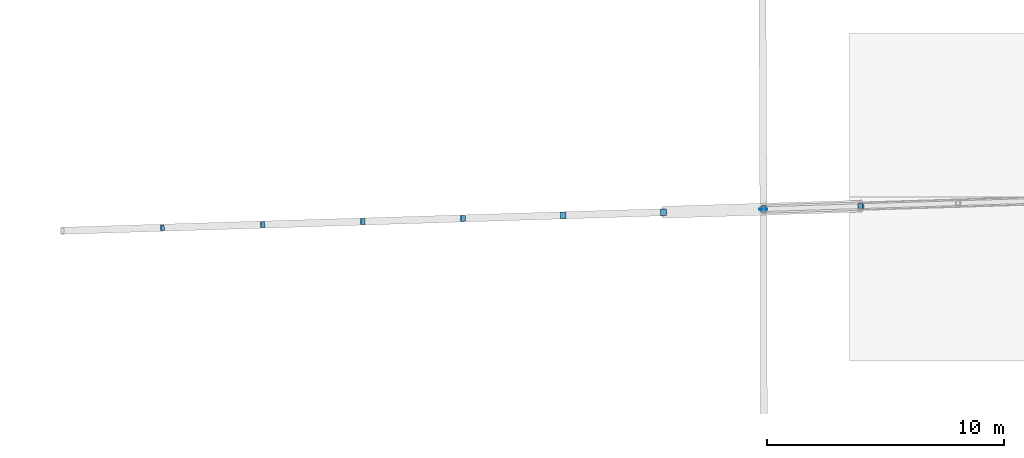
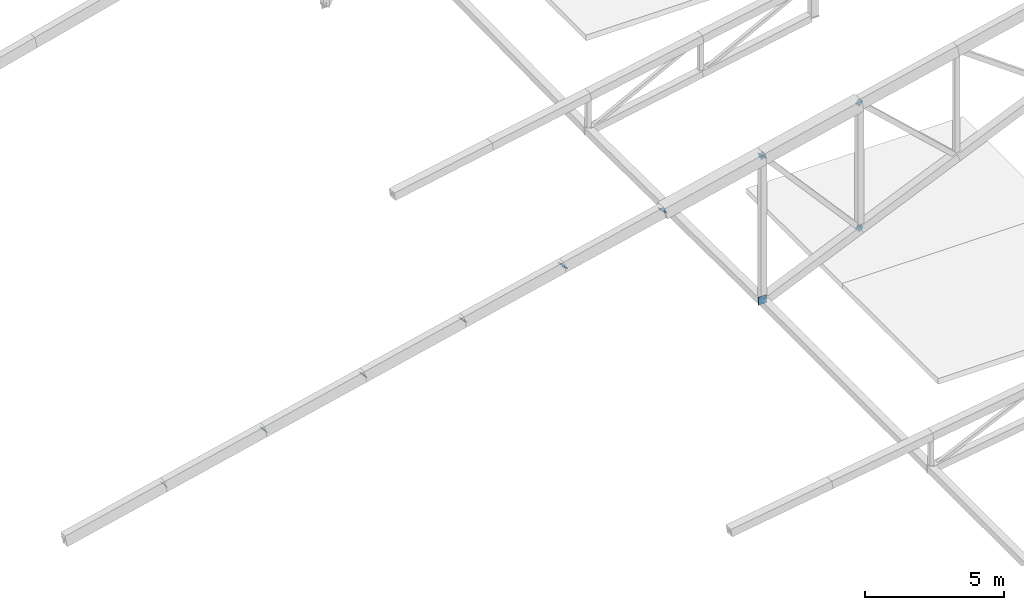
# One storey, part 154 of 188: 12 discrete accessories.
"""IFC4 building model written with IfcOpenShell, lengths in metres."""

from ifc_helpers import new_model, si_unit, direction, frame, origin, origin_2d, place, context, subcontext, project, spatial, rectangle, extrude, material, material_profile, profile_set, type_object, element, save


model = new_model("IFC4")

# Units and contexts
model_context = context("Model", 3, precision=1e-05, world=origin(), true_north=direction((0.0, 1.0)))
body_context = subcontext(model_context, "Body", "Model", "MODEL_VIEW")
ifc_project = project(units=[si_unit("LENGTHUNIT", "METRE"), si_unit("AREAUNIT", "SQUARE_METRE"), si_unit("VOLUMEUNIT", "CUBIC_METRE"), si_unit("PLANEANGLEUNIT", "RADIAN"), si_unit("MASSUNIT", "GRAM", prefix="KILO")], contexts=[model_context])

# Site, building, storey
site_placement = place(None, origin())
site = spatial("IfcSite", under=ifc_project, at=site_placement, CompositionType="ELEMENT")
building_placement = place(site_placement, origin())
building = spatial("IfcBuilding", under=site, at=building_placement, Name="Meseta Stadium", CompositionType="ELEMENT")
storey_placement = place(building_placement, frame((0.0, 0.0, 30.0)))
storey = spatial("IfcBuildingStorey", under=building, at=storey_placement, Name="ROOF", CompositionType="ELEMENT", Elevation=30.0)

# Discrete accessories
ifc_material_1 = material(Name="Steel S355", Category="steel")
ifc_material_profile_1 = material_profile(ifc_material_1, rectangle(XDim=0.219970703125, YDim=0.219970703125, at=origin_2d()), Name="PL 220x220")
ifc_profile_set_1 = profile_set([ifc_material_profile_1], Name="Steel S355")
discrete_accessory_type_1 = type_object("IfcDiscreteAccessoryType", Name="End plate 220x220x20", PredefinedType="ANCHORPLATE", material=ifc_profile_set_1)
discrete_accessory_1_placement = place(storey_placement, frame((59.657470703125, 17.462646484375, 2.06982421875), z_axis=(0.781826100826, 0.024432065651, 0.623017674096), x_axis=(-0.031234752378, 0.999512076087, 0.0)))
element("IfcDiscreteAccessory", 1, at=discrete_accessory_1_placement, inside=storey, type_object=discrete_accessory_type_1, Name="End plate of ROOF TRUSS RT-06 diagonal", PredefinedType="ANCHORPLATE", context=body_context, shape_type="SweptSolid", body=[
    extrude(rectangle(XDim=0.219970703125, YDim=0.219970703125, at=origin_2d()), origin(), (0.0, 0.0, 1.0), 0.02001953125),
])
ifc_material_2 = material(Name="Steel S355", Category="steel")
ifc_material_profile_2 = material_profile(ifc_material_2, rectangle(XDim=0.239990234375, YDim=0.239990234375, at=origin_2d()), Name="PL 240x240")
ifc_profile_set_2 = profile_set([ifc_material_profile_2], Name="Steel S355")
discrete_accessory_type_2 = type_object("IfcDiscreteAccessoryType", Name="End plate 240x240x20", PredefinedType="ANCHORPLATE", material=ifc_profile_set_2)
discrete_accessory_2_placement = place(storey_placement, frame((63.877685546875, 17.5927734375, 2.922119140625), z_axis=(0.730838305701, 0.024361276857, 0.682115751988), x_axis=(-0.033314830233, 0.999444906979, 0.0)))
element("IfcDiscreteAccessory", 2, at=discrete_accessory_2_placement, inside=storey, type_object=discrete_accessory_type_2, Name="End plate of ROOF TRUSS RT-06 diagonal", PredefinedType="ANCHORPLATE", context=body_context, shape_type="SweptSolid", body=[
    extrude(rectangle(XDim=0.239990234375, YDim=0.239990234375, at=origin_2d()), origin(), (0.0, 0.0, 1.0), 0.02001953125),
])
discrete_accessory_3_placement = place(storey_placement, frame((68.097900390625, 17.722900390625, 3.774658203125), z_axis=(0.688218326247, 0.024579225937, 0.725087165153), x_axis=(-0.035691530512, 0.999362854348, 0.0)))
element("IfcDiscreteAccessory", 3, at=discrete_accessory_3_placement, inside=storey, type_object=discrete_accessory_type_2, Name="End plate of ROOF TRUSS RT-06 diagonal", PredefinedType="ANCHORPLATE", context=body_context, shape_type="SweptSolid", body=[
    extrude(rectangle(XDim=0.239990234375, YDim=0.239990234375, at=origin_2d()), origin(), (0.0, 0.0, 1.0), 0.019775390625),
])
discrete_accessory_4_placement = place(storey_placement, frame((72.318115234375, 17.85302734375, 4.626953125), z_axis=(0.636374333978, 0.024475935922, 0.77099198155), x_axis=(-0.038433122101, 0.999261174631, 0.0)))
element("IfcDiscreteAccessory", 4, at=discrete_accessory_4_placement, inside=storey, type_object=discrete_accessory_type_2, Name="End plate of ROOF TRUSS RT-06 diagonal", PredefinedType="ANCHORPLATE", context=body_context, shape_type="SweptSolid", body=[
    extrude(rectangle(XDim=0.239990234375, YDim=0.239990234375, at=origin_2d()), origin(), (0.0, 0.0, 1.0), 0.02001953125),
])
for number, where, z_axis, x_axis, name in (
    (5, (84.96533203125, 18.2431640625, 7.19921875), (0.66263904082, 0.024542186697, -0.74853669426), (-0.03701166051, 0.999314833767, 0.0), "End plate of ROOF TRUSS RT-06 diagonal"),
    (6, (89.083984375, 18.3701171875, 2.513427734375), (0.66263904082, 0.024542186697, -0.74853669426), (-0.03701166051, 0.999314833767, 0.0), "End plate of ROOF TRUSS RT-06 diagonal"),
):
    element("IfcDiscreteAccessory", number, at=place(storey_placement, frame(where, z_axis=z_axis, x_axis=x_axis)), inside=storey, type_object=discrete_accessory_type_2, Name=name, PredefinedType="ANCHORPLATE", context=body_context, shape_type="SweptSolid", body=[
        extrude(rectangle(XDim=0.239990234375, YDim=0.239990234375, at=origin_2d()), origin(), (0.0, 0.0, 1.0), 0.019775390625),
    ])
discrete_accessory_5_placement = place(storey_placement, frame((89.0693359375, 18.36962890625, 8.027099609375), z_axis=(0.730838305701, 0.024361276857, -0.682115751988), x_axis=(-0.033314830233, 0.999444906979, 0.0)))
element("IfcDiscreteAccessory", 7, at=discrete_accessory_5_placement, inside=storey, type_object=discrete_accessory_type_2, Name="End plate of ROOF TRUSS RT-06 diagonal", PredefinedType="ANCHORPLATE", context=body_context, shape_type="SweptSolid", body=[
    extrude(rectangle(XDim=0.239990234375, YDim=0.239990234375, at=origin_2d()), origin(), (0.0, 0.0, 1.0), 0.02001953125),
])
ifc_material_3 = material(Name="Steel S355", Category="steel")
ifc_material_profile_3 = material_profile(ifc_material_3, rectangle(XDim=0.2900390625, YDim=0.2900390625, at=origin_2d()), Name="PL 290x290")
ifc_profile_set_3 = profile_set([ifc_material_profile_3], Name="Steel S355")
discrete_accessory_type_3 = type_object("IfcDiscreteAccessoryType", Name="End plate 290x290x20", PredefinedType="ANCHORPLATE", material=ifc_profile_set_3)
discrete_accessory_6_placement = place(storey_placement, frame((76.5380859375, 17.9833984375, 5.4794921875), z_axis=(0.60966543425, 0.012193308685, 0.792565064524), x_axis=(-0.0199960012, 0.99980005998, 0.0)))
element("IfcDiscreteAccessory", 8, at=discrete_accessory_6_placement, inside=storey, type_object=discrete_accessory_type_3, Name="End plate of ROOF TRUSS RT-06 diagonal", PredefinedType="ANCHORPLATE", context=body_context, shape_type="SweptSolid", body=[
    extrude(rectangle(XDim=0.2900390625, YDim=0.2900390625, at=origin_2d()), origin(), (0.0, 0.0, 1.0), 0.02001953125),
])
discrete_accessory_7_placement = place(storey_placement, frame((80.75830078125, 18.113525390625, 6.331787109375), z_axis=(0.568539143234, 0.012096577516, 0.822567271062), x_axis=(-0.021271781491, 0.999773730057, 0.0)))
element("IfcDiscreteAccessory", 9, at=discrete_accessory_7_placement, inside=storey, type_object=discrete_accessory_type_3, Name="End plate of ROOF TRUSS RT-06 diagonal", PredefinedType="ANCHORPLATE", context=body_context, shape_type="SweptSolid", body=[
    extrude(rectangle(XDim=0.2900390625, YDim=0.2900390625, at=origin_2d()), origin(), (0.0, 0.0, 1.0), 0.020263671875),
])
discrete_accessory_8_placement = place(storey_placement, frame((84.978515625, 18.24365234375, 7.184326171875), z_axis=(0.537625803814, 0.012218768269, 0.843095010527), x_axis=(-0.022721405353, 0.999741835545, 0.0)))
element("IfcDiscreteAccessory", 10, at=discrete_accessory_8_placement, inside=storey, type_object=discrete_accessory_type_3, Name="End plate of ROOF TRUSS RT-06 diagonal", PredefinedType="ANCHORPLATE", context=body_context, shape_type="SweptSolid", body=[
    extrude(rectangle(XDim=0.2900390625, YDim=0.2900390625, at=origin_2d()), origin(), (0.0, 0.0, 1.0), 0.02001953125),
])
ifc_material_4 = material(Name="Steel S355", Category="steel")
ifc_material_profile_4 = material_profile(ifc_material_4, rectangle(XDim=0.340087890625, YDim=0.340087890625, at=origin_2d()), Name="PL 340x340")
ifc_profile_set_4 = profile_set([ifc_material_profile_4], Name="Steel S355")
discrete_accessory_type_4 = type_object("IfcDiscreteAccessoryType", Name="End plate 340x340x20", PredefinedType="ANCHORPLATE", material=ifc_profile_set_4)
for number, where, z_axis, x_axis, name in (
    (11, (84.978515625, 18.24365234375, 0.85107421875), (0.0, 1.0, 0.0), (-1.0, 0.0, 0.0), "End plate of ROOF PIVOT STRUT RT-05/06"),
    (12, (84.978759765625, 18.2236328125, 0.85107421875), (-0.012194215217, 0.999925647793, 0.0), (-0.999925647793, -0.012194215217, 0.0), "End plate of ROOF PIVOT STRUT RT-06/07"),
):
    element("IfcDiscreteAccessory", number, at=place(storey_placement, frame(where, z_axis=z_axis, x_axis=x_axis)), inside=storey, type_object=discrete_accessory_type_4, Name=name, PredefinedType="ANCHORPLATE", context=body_context, shape_type="SweptSolid", body=[
        extrude(rectangle(XDim=0.340087890625, YDim=0.340087890625, at=origin_2d()), origin(), (0.0, 0.0, 1.0), 0.02001953125),
    ])

save(model, "model.ifc")
